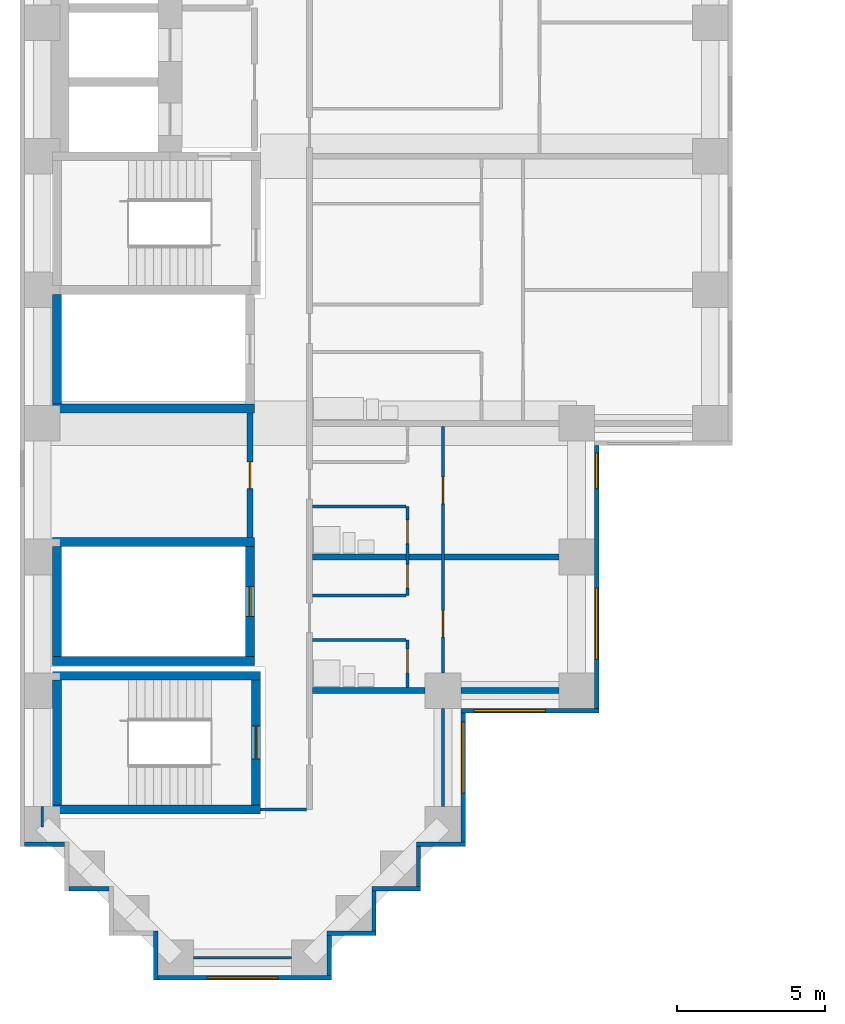
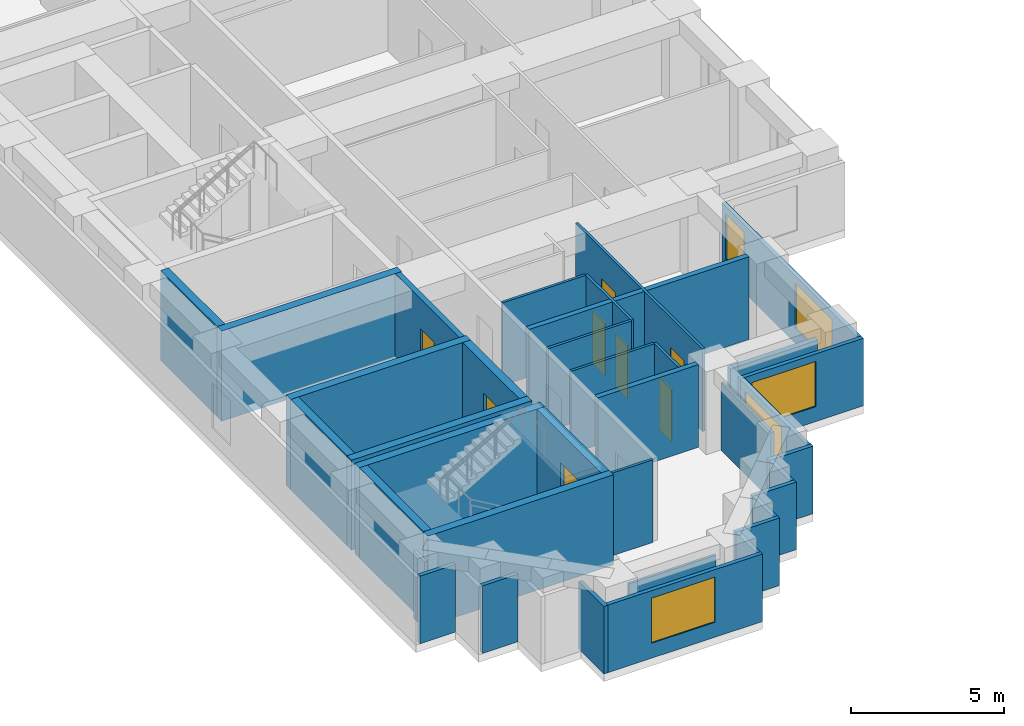
# One storey, part 2 of 12: 37 walls, 8 doors, 5 windows, 13 openings.
"""IFC4 building model written with IfcOpenShell, lengths in metres."""

from ifc_helpers import new_model, si_unit, direction, frame, frame_2d, origin, place, context, subcontext, project, spatial, rectangle, extrude, material, layer, layer_set, type_object, element, fill, save


model = new_model("IFC4")

# Units and contexts
model_context = context("Model", 3, precision=1e-05, world=origin(), true_north=direction((0.0, 1.0)))
body_context = subcontext(model_context, "Body", "Model", "MODEL_VIEW")
ifc_project = project(units=[si_unit("LENGTHUNIT", "METRE"), si_unit("AREAUNIT", "SQUARE_METRE"), si_unit("VOLUMEUNIT", "CUBIC_METRE"), si_unit("PLANEANGLEUNIT", "RADIAN"), si_unit("MASSUNIT", "GRAM", prefix="KILO")], contexts=[model_context])

# Site, building, storey
site_placement = place(None, origin())
site = spatial("IfcSite", under=ifc_project, at=site_placement, CompositionType="ELEMENT")
building_placement = place(site_placement, origin())
building = spatial("IfcBuilding", under=site, at=building_placement, Name="Firuza Court", CompositionType="ELEMENT")
storey_placement = place(building_placement, frame((0.0, 0.0, 65.0)))
storey = spatial("IfcBuildingStorey", under=building, at=storey_placement, Name="L15", CompositionType="ELEMENT", Elevation=65.0)

# Walls
ifc_material_1 = material(Name="Moisture-resistant gypsum board partition")
ifc_layer_1 = layer(ifc_material_1, 0.10009765625)
ifc_layer_set_1 = layer_set([ifc_layer_1], Name="Moisture-resistant gypsum board partition")
wall_type_1 = type_object("IfcWallType", Name="Bathroom partition 100", PredefinedType="PLUMBINGWALL", material=ifc_layer_set_1)
for number, where, z_axis, x_axis, name in (
    (1, (9.10009765625, 10.699951171875, 0.0), (0.0, 0.0, 1.0), (1.0, 0.0, 0.0), "Bathroom partition 100 L15"),
    (2, (9.10009765625, 15.199951171875, 0.0), (0.0, 0.0, 1.0), (1.0, 0.0, 0.0), "Bathroom partition 100 L15"),
):
    element("IfcWall", number, at=place(storey_placement, frame(where, z_axis=z_axis, x_axis=x_axis)), inside=storey, type_object=wall_type_1, Name=name, PredefinedType="PLUMBINGWALL", context=body_context, shape_type="SweptSolid", body=[
        extrude(rectangle(XDim=3.14990234375, YDim=0.10009765625, at=frame_2d((1.574951171875, 0.0))), origin(), (0.0, 0.0, 1.0), 3.300048828125),
    ])
ifc_material_2 = material(Name="Concrete C60/75", Category="concrete")
ifc_layer_2 = layer(ifc_material_2, 0.300048828125)
ifc_layer_set_2 = layer_set([ifc_layer_2], Name="Concrete C60/75")
wall_type_2 = type_object("IfcWallType", Name="Core wall 300 C60/75", PredefinedType="SHEAR", material=ifc_layer_set_2)
for number, where, z_axis, x_axis, name in (
    (3, (0.35009765625, 5.0, -0.300048828125), (0.0, 0.0, 1.0), (1.0, 0.0, 0.0), "Core wall stair L15"),
    (4, (0.35009765625, 9.5, -0.300048828125), (0.0, 0.0, 1.0), (1.0, 0.0, 0.0), "Core wall stair L15"),
):
    element("IfcWall", number, at=place(storey_placement, frame(where, z_axis=z_axis, x_axis=x_axis)), inside=storey, type_object=wall_type_2, Name=name, PredefinedType="SHEAR", context=body_context, shape_type="SweptSolid", body=[
        extrude(rectangle(XDim=7.0, YDim=0.300048828125, at=frame_2d((3.5, 0.0))), origin(), (0.0, 0.0, 1.0), 3.60009765625),
    ])
for number, where, z_axis, x_axis, name in (
    (5, (0.35009765625, 10.0, -0.300048828125), (0.0, 0.0, 1.0), (1.0, 0.0, 0.0), "Core wall riser L15"),
    (6, (0.35009765625, 14.0, -0.300048828125), (0.0, 0.0, 1.0), (1.0, 0.0, 0.0), "Core wall riser L15"),
    (7, (0.35009765625, 18.5, -0.300048828125), (0.0, 0.0, 1.0), (1.0, 0.0, 0.0), "Core wall riser L15"),
):
    element("IfcWall", number, at=place(storey_placement, frame(where, z_axis=z_axis, x_axis=x_axis)), inside=storey, type_object=wall_type_2, Name=name, PredefinedType="SHEAR", context=body_context, shape_type="SweptSolid", body=[
        extrude(rectangle(XDim=6.7998046875, YDim=0.300048828125, at=frame_2d((3.39990234375, 0.0))), origin(), (0.0, 0.0, 1.0), 3.60009765625),
    ])
wall_1_placement = place(storey_placement, frame((0.5, 5.14990234375, -0.300048828125), z_axis=(0.0, 0.0, 1.0), x_axis=(0.0, 1.0, 0.0)))
element("IfcWall", 8, at=wall_1_placement, inside=storey, type_object=wall_type_2, Name="Core wall stair L15", PredefinedType="SHEAR", context=body_context, shape_type="SweptSolid", body=[
    extrude(rectangle(XDim=4.2001953125, YDim=0.300048828125, at=frame_2d((2.10009765625, 0.0))), origin(), (0.0, 0.0, 1.0), 3.60009765625),
])
for number, where, z_axis, x_axis, name in (
    (9, (0.5, 10.14990234375, -0.300048828125), (0.0, 0.0, 1.0), (0.0, 1.0, 0.0), "Core wall riser L15"),
    (10, (0.5, 18.64990234375, -0.300048828125), (0.0, 0.0, 1.0), (0.0, 1.0, 0.0), "Core wall riser L15"),
):
    element("IfcWall", number, at=place(storey_placement, frame(where, z_axis=z_axis, x_axis=x_axis)), inside=storey, type_object=wall_type_2, Name=name, PredefinedType="SHEAR", context=body_context, shape_type="SweptSolid", body=[
        extrude(rectangle(XDim=3.7001953125, YDim=0.300048828125, at=frame_2d((1.85009765625, 0.0))), origin(), (0.0, 0.0, 1.0), 3.60009765625),
    ])

# Wall, opening, door
wall_2_placement = place(storey_placement, frame((7.0, 10.14990234375, -0.300048828125), z_axis=(0.0, 0.0, 1.0), x_axis=(0.0, 1.0, 0.0)))
wall_2 = element("IfcWall", 11, at=wall_2_placement, inside=storey, type_object=wall_type_2, Name="Core wall riser L15", PredefinedType="SHEAR", context=body_context, shape_type="SweptSolid", body=[
    extrude(rectangle(XDim=3.7001953125, YDim=0.300048828125, at=frame_2d((1.85009765625, 0.0))), origin(), (0.0, 0.0, 1.0), 3.60009765625),
])
opening_1_placement = place(wall_2_placement, frame((1.35009765625, 0.0, 0.300048828125)))
opening_1 = element("IfcOpeningElement", 12, at=opening_1_placement, cuts=wall_2, Name="Opening D15012", PredefinedType="OPENING", context=body_context, shape_type="SweptSolid", body=[
    extrude(rectangle(XDim=1.0, YDim=2.10009765625, at=frame_2d((0.5, 1.050048828125))), frame((0.0, 0.162109375, 0.0), z_axis=(0.0, -1.0, 0.0), x_axis=(1.0, 0.0, 0.0)), (0.0, 0.0, 1.0), 0.323974609375),
])
ifc_material_3 = material(Name="Timber door leaf in hardwood frame", Category="wood")
door_type_1 = type_object("IfcDoorType", Name="Riser door 1000", OperationType="SINGLE_SWING_LEFT", PredefinedType="DOOR", material=ifc_material_3)
door_1_placement = place(opening_1_placement, origin())
door_1 = element("IfcDoor", 13, at=door_1_placement, inside=storey, type_object=door_type_1, Name="Riser door R4", OperationType="SINGLE_SWING_LEFT", OverallHeight=2.10009765625, OverallWidth=1.0, PredefinedType="DOOR", context=body_context, shape_type="SweptSolid", body=[
    extrude(rectangle(XDim=1.0, YDim=2.10009765625, at=frame_2d((0.5, 1.050048828125))), frame((0.0, 0.02490234375, 0.0), z_axis=(0.0, -1.0, 0.0), x_axis=(1.0, 0.0, 0.0)), (0.0, 0.0, 1.0), 0.050048828125),
])
fill(opening_1, door_1)

wall_3_placement = place(storey_placement, frame((7.199951171875, 5.14990234375, -0.300048828125), z_axis=(0.0, 0.0, 1.0), x_axis=(0.0, 1.0, 0.0)))
wall_3 = element("IfcWall", 14, at=wall_3_placement, inside=storey, type_object=wall_type_2, Name="Core wall stair L15", PredefinedType="SHEAR", context=body_context, shape_type="SweptSolid", body=[
    extrude(rectangle(XDim=4.2001953125, YDim=0.300048828125, at=frame_2d((2.10009765625, 0.0))), origin(), (0.0, 0.0, 1.0), 3.60009765625),
])
opening_2_placement = place(wall_3_placement, frame((1.550048828125, 0.0, 0.300048828125)))
opening_2 = element("IfcOpeningElement", 15, at=opening_2_placement, cuts=wall_3, Name="Opening D15018", PredefinedType="OPENING", context=body_context, shape_type="SweptSolid", body=[
    extrude(rectangle(XDim=1.10009765625, YDim=2.10009765625, at=frame_2d((0.550048828125, 1.050048828125))), frame((0.0, 0.162109375, 0.0), z_axis=(0.0, -1.0, 0.0), x_axis=(1.0, 0.0, 0.0)), (0.0, 0.0, 1.0), 0.323974609375),
])
ifc_material_4 = material(Name="Timber door leaf in hardwood frame", Category="wood")
door_type_2 = type_object("IfcDoorType", Name="Stair door 1100", OperationType="SINGLE_SWING_LEFT", PredefinedType="DOOR", material=ifc_material_4)
door_2_placement = place(opening_2_placement, origin())
door_2 = element("IfcDoor", 16, at=door_2_placement, inside=storey, type_object=door_type_2, Name="Stair door S5", OperationType="SINGLE_SWING_LEFT", OverallHeight=2.10009765625, OverallWidth=1.10009765625, PredefinedType="DOOR", context=body_context, shape_type="SweptSolid", body=[
    extrude(rectangle(XDim=1.10009765625, YDim=2.10009765625, at=frame_2d((0.550048828125, 1.050048828125))), frame((0.0, 0.02490234375, 0.0), z_axis=(0.0, -1.0, 0.0), x_axis=(1.0, 0.0, 0.0)), (0.0, 0.0, 1.0), 0.050048828125),
])
fill(opening_2, door_2)

ifc_material_5 = material(Name="Blockwork, plastered both sides", Category="masonry")
ifc_layer_3 = layer(ifc_material_5, 0.199951171875)
ifc_layer_set_3 = layer_set([ifc_layer_3], Name="Blockwork, plastered both sides")
wall_type_3 = type_object("IfcWallType", Name="Corridor wall 200", PredefinedType="PARTITIONING", material=ifc_layer_set_3)
wall_4_placement = place(storey_placement, frame((7.0, 14.14990234375, 0.0), z_axis=(0.0, 0.0, 1.0), x_axis=(0.0, 1.0, 0.0)))
wall_4 = element("IfcWall", 17, at=wall_4_placement, inside=storey, type_object=wall_type_3, Name="Corridor wall 200 L15", PredefinedType="PARTITIONING", context=body_context, shape_type="SweptSolid", body=[
    extrude(rectangle(XDim=4.2001953125, YDim=0.199951171875, at=frame_2d((2.10009765625, 0.0))), origin(), (0.0, 0.0, 1.0), 3.300048828125),
])
opening_3_placement = place(wall_4_placement, frame((1.64990234375, 0.0, 0.0)))
opening_3 = element("IfcOpeningElement", 18, at=opening_3_placement, cuts=wall_4, Name="Opening D15030", PredefinedType="OPENING", context=body_context, shape_type="SweptSolid", body=[
    extrude(rectangle(XDim=0.89990234375, YDim=2.10009765625, at=frame_2d((0.449951171875, 1.050048828125))), frame((0.0, 0.11181640625, 0.0), z_axis=(0.0, -1.0, 0.0), x_axis=(1.0, 0.0, 0.0)), (0.0, 0.0, 1.0), 0.223876953125),
])
ifc_material_6 = material(Name="Timber door leaf in hardwood frame", Category="wood")
door_type_3 = type_object("IfcDoorType", Name="Room door 900 EI 30", OperationType="SINGLE_SWING_LEFT", PredefinedType="DOOR", material=ifc_material_6)
door_3_placement = place(opening_3_placement, origin())
door_3 = element("IfcDoor", 19, at=door_3_placement, inside=storey, type_object=door_type_3, Name="Concierge room door", OperationType="SINGLE_SWING_LEFT", OverallHeight=2.10009765625, OverallWidth=0.89990234375, PredefinedType="DOOR", context=body_context, shape_type="SweptSolid", body=[
    extrude(rectangle(XDim=0.89990234375, YDim=2.10009765625, at=frame_2d((0.449951171875, 1.050048828125))), frame((0.0, 0.02490234375, 0.0), z_axis=(0.0, -1.0, 0.0), x_axis=(1.0, 0.0, 0.0)), (0.0, 0.0, 1.0), 0.050048828125),
])
fill(opening_3, door_3)

# Walls
ifc_material_7 = material(Name="Timber stud partition, plasterboard both sides", Category="wood")
ifc_layer_4 = layer(ifc_material_7, 0.10009765625)
ifc_layer_set_4 = layer_set([ifc_layer_4], Name="Timber stud partition, plasterboard both sides")
wall_type_4 = type_object("IfcWallType", Name="Partition wall 100", PredefinedType="PARTITIONING", material=ifc_layer_set_4)
wall_5_placement = place(storey_placement, frame((5.10009765625, 0.0, 0.0), z_axis=(0.0, 0.0, 1.0), x_axis=(1.0, 0.0, 0.0)))
element("IfcWall", 20, at=wall_5_placement, inside=storey, type_object=wall_type_4, Name="Partition wall 100 L15", PredefinedType="PARTITIONING", context=body_context, shape_type="SweptSolid", body=[
    extrude(rectangle(XDim=3.2998046875, YDim=0.10009765625, at=frame_2d((1.64990234375, 0.0))), origin(), (0.0, 0.0, 1.0), 2.699951171875),
])
wall_6_placement = place(storey_placement, frame((0.0, 4.39990234375, 0.0), z_axis=(0.0, 0.0, 1.0), x_axis=(0.0, 1.0, 0.0)))
element("IfcWall", 21, at=wall_6_placement, inside=storey, type_object=wall_type_4, Name="Partition wall 100 L15", PredefinedType="PARTITIONING", context=body_context, shape_type="SweptSolid", body=[
    extrude(rectangle(XDim=0.7001953125, YDim=0.10009765625, at=frame_2d((0.35009765625, 0.0))), origin(), (0.0, 0.0, 1.0), 2.699951171875),
])
wall_7_placement = place(storey_placement, frame((7.34912109375, 5.0, 0.0), z_axis=(0.0, 0.0, 1.0), x_axis=(1.0, 0.0, 0.0)))
element("IfcWall", 22, at=wall_7_placement, inside=storey, type_object=wall_type_4, Name="Partition wall 100 L15", PredefinedType="PARTITIONING", context=body_context, shape_type="SweptSolid", body=[
    extrude(rectangle(XDim=1.55078125, YDim=0.10009765625, at=frame_2d((0.775390625, 0.0))), origin(), (0.0, 0.0, 1.0), 3.300048828125),
])
wall_8_placement = place(storey_placement, frame((13.5, 5.10009765625, 0.0), z_axis=(0.0, 0.0, 1.0), x_axis=(0.0, 1.0, 0.0)))
element("IfcWall", 23, at=wall_8_placement, inside=storey, type_object=wall_type_4, Name="Partition wall 100 L15", PredefinedType="PARTITIONING", context=body_context, shape_type="SweptSolid", body=[
    extrude(rectangle(XDim=3.2998046875, YDim=0.10009765625, at=frame_2d((1.64990234375, 0.0))), origin(), (0.0, 0.0, 1.0), 2.699951171875),
])

# Wall, opening, door
wall_9_placement = place(storey_placement, frame((12.300048828125, 9.10009765625, 0.0), z_axis=(0.0, 0.0, 1.0), x_axis=(0.0, 1.0, 0.0)))
wall_9 = element("IfcWall", 24, at=wall_9_placement, inside=storey, type_object=wall_type_4, Name="Partition wall 100 L15", PredefinedType="PARTITIONING", context=body_context, shape_type="SweptSolid", body=[
    extrude(rectangle(XDim=1.599853515625, YDim=0.10009765625, at=frame_2d((0.7998046875, 0.0))), origin(), (0.0, 0.0, 1.0), 3.300048828125),
])
opening_4_placement = place(wall_9_placement, frame((0.5, 0.0, 0.0)))
opening_4 = element("IfcOpeningElement", 25, at=opening_4_placement, cuts=wall_9, Name="Opening D15025", PredefinedType="OPENING", context=body_context, shape_type="SweptSolid", body=[
    extrude(rectangle(XDim=0.800048828125, YDim=2.10009765625, at=frame_2d((0.39990234375, 1.050048828125))), frame((0.0, 0.06201171875, 0.0), z_axis=(0.0, -1.0, 0.0), x_axis=(1.0, 0.0, 0.0)), (0.0, 0.0, 1.0), 0.1240234375),
])
ifc_material_8 = material(Name="Timber door leaf in hardwood frame", Category="wood")
door_type_4 = type_object("IfcDoorType", Name="Bathroom door 800", OperationType="SINGLE_SWING_LEFT", PredefinedType="DOOR", material=ifc_material_8)
door_4_placement = place(opening_4_placement, origin())
door_4 = element("IfcDoor", 26, at=door_4_placement, inside=storey, type_object=door_type_4, Name="Bathroom door", OperationType="SINGLE_SWING_RIGHT", OverallHeight=2.10009765625, OverallWidth=0.800048828125, PredefinedType="DOOR", context=body_context, shape_type="SweptSolid", body=[
    extrude(rectangle(XDim=0.800048828125, YDim=2.10009765625, at=frame_2d((0.39990234375, 1.050048828125))), frame((0.0, 0.02490234375, 0.0), z_axis=(0.0, -1.0, 0.0), x_axis=(1.0, 0.0, 0.0)), (0.0, 0.0, 1.0), 0.050048828125),
])
fill(opening_4, door_4)

# Wall, openings, doors
wall_10_placement = place(storey_placement, frame((13.5, 9.60009765625, 0.0), z_axis=(0.0, 0.0, 1.0), x_axis=(0.0, 1.0, 0.0)))
wall_10 = element("IfcWall", 27, at=wall_10_placement, inside=storey, type_object=wall_type_4, Name="Partition wall 100 L15", PredefinedType="PARTITIONING", context=body_context, shape_type="SweptSolid", body=[
    extrude(rectangle(XDim=8.2998046875, YDim=0.10009765625, at=frame_2d((4.14990234375, 0.0))), origin(), (0.0, 0.0, 1.0), 3.300048828125),
])
opening_5_placement = place(wall_10_placement, frame((5.699951171875, 0.0, 0.0)))
opening_5 = element("IfcOpeningElement", 28, at=opening_5_placement, cuts=wall_10, Name="Opening D15026", PredefinedType="OPENING", context=body_context, shape_type="SweptSolid", body=[
    extrude(rectangle(XDim=0.89990234375, YDim=2.10009765625, at=frame_2d((0.449951171875, 1.050048828125))), frame((0.0, 0.06201171875, 0.0), z_axis=(0.0, -1.0, 0.0), x_axis=(1.0, 0.0, 0.0)), (0.0, 0.0, 1.0), 0.1240234375),
])
opening_6_placement = place(wall_10_placement, frame((1.199951171875, 0.0, 0.0)))
opening_6 = element("IfcOpeningElement", 29, at=opening_6_placement, cuts=wall_10, Name="Opening D15027", PredefinedType="OPENING", context=body_context, shape_type="SweptSolid", body=[
    extrude(rectangle(XDim=0.89990234375, YDim=2.10009765625, at=frame_2d((0.449951171875, 1.050048828125))), frame((0.0, 0.06201171875, 0.0), z_axis=(0.0, -1.0, 0.0), x_axis=(1.0, 0.0, 0.0)), (0.0, 0.0, 1.0), 0.1240234375),
])
ifc_material_9 = material(Name="Timber door leaf in hardwood frame", Category="wood")
door_type_5 = type_object("IfcDoorType", Name="Room door 900", OperationType="SINGLE_SWING_LEFT", PredefinedType="DOOR", material=ifc_material_9)
door_5_placement = place(opening_5_placement, frame((0.89990234375, 0.0, 0.0), z_axis=(0.0, 0.0, 1.0), x_axis=(-1.0, 0.0, 0.0)))
door_5 = element("IfcDoor", 30, at=door_5_placement, inside=storey, type_object=door_type_5, Name="Studio room door", OperationType="SINGLE_SWING_RIGHT", OverallHeight=2.10009765625, OverallWidth=0.89990234375, PredefinedType="DOOR", context=body_context, shape_type="SweptSolid", body=[
    extrude(rectangle(XDim=0.89990234375, YDim=2.10009765625, at=frame_2d((0.449951171875, 1.050048828125))), frame((0.0, 0.02490234375, 0.0), z_axis=(0.0, -1.0, 0.0), x_axis=(1.0, 0.0, 0.0)), (0.0, 0.0, 1.0), 0.050048828125),
])
fill(opening_5, door_5)
door_6_placement = place(opening_6_placement, frame((0.89990234375, 0.0, 0.0), z_axis=(0.0, 0.0, 1.0), x_axis=(-1.0, 0.0, 0.0)))
door_6 = element("IfcDoor", 31, at=door_6_placement, inside=storey, type_object=door_type_5, Name="Studio room door", OperationType="SINGLE_SWING_RIGHT", OverallHeight=2.10009765625, OverallWidth=0.89990234375, PredefinedType="DOOR", context=body_context, shape_type="SweptSolid", body=[
    extrude(rectangle(XDim=0.89990234375, YDim=2.10009765625, at=frame_2d((0.449951171875, 1.050048828125))), frame((0.0, 0.02490234375, 0.0), z_axis=(0.0, -1.0, 0.0), x_axis=(1.0, 0.0, 0.0)), (0.0, 0.0, 1.0), 0.050048828125),
])
fill(opening_6, door_6)

# Wall
wall_11_placement = place(storey_placement, frame((9.10009765625, 12.199951171875, 0.0), z_axis=(0.0, 0.0, 1.0), x_axis=(1.0, 0.0, 0.0)))
element("IfcWall", 32, at=wall_11_placement, inside=storey, type_object=wall_type_4, Name="Partition wall 100 L15", PredefinedType="PARTITIONING", context=body_context, shape_type="SweptSolid", body=[
    extrude(rectangle(XDim=3.14990234375, YDim=0.10009765625, at=frame_2d((1.574951171875, 0.0))), origin(), (0.0, 0.0, 1.0), 3.300048828125),
])

# Wall, openings, doors
wall_12_placement = place(storey_placement, frame((12.300048828125, 12.199951171875, 0.0), z_axis=(0.0, 0.0, 1.0), x_axis=(0.0, 1.0, 0.0)))
wall_12 = element("IfcWall", 33, at=wall_12_placement, inside=storey, type_object=wall_type_4, Name="Partition wall 100 L15", PredefinedType="PARTITIONING", context=body_context, shape_type="SweptSolid", body=[
    extrude(rectangle(XDim=3.0, YDim=0.10009765625, at=frame_2d((1.5, 0.0))), origin(), (0.0, 0.0, 1.0), 3.300048828125),
])
opening_7_placement = place(wall_12_placement, frame((1.75, 0.0, 0.0)))
opening_7 = element("IfcOpeningElement", 34, at=opening_7_placement, cuts=wall_12, Name="Opening D15028", PredefinedType="OPENING", context=body_context, shape_type="SweptSolid", body=[
    extrude(rectangle(XDim=0.800048828125, YDim=2.10009765625, at=frame_2d((0.39990234375, 1.050048828125))), frame((0.0, 0.06201171875, 0.0), z_axis=(0.0, -1.0, 0.0), x_axis=(1.0, 0.0, 0.0)), (0.0, 0.0, 1.0), 0.1240234375),
])
opening_8_placement = place(wall_12_placement, frame((0.25, 0.0, 0.0)))
opening_8 = element("IfcOpeningElement", 35, at=opening_8_placement, cuts=wall_12, Name="Opening D15029", PredefinedType="OPENING", context=body_context, shape_type="SweptSolid", body=[
    extrude(rectangle(XDim=0.800048828125, YDim=2.10009765625, at=frame_2d((0.39990234375, 1.050048828125))), frame((0.0, 0.06201171875, 0.0), z_axis=(0.0, -1.0, 0.0), x_axis=(1.0, 0.0, 0.0)), (0.0, 0.0, 1.0), 0.1240234375),
])
door_7_placement = place(opening_7_placement, origin())
door_7 = element("IfcDoor", 36, at=door_7_placement, inside=storey, type_object=door_type_4, Name="Bathroom door", OperationType="SINGLE_SWING_LEFT", OverallHeight=2.10009765625, OverallWidth=0.800048828125, PredefinedType="DOOR", context=body_context, shape_type="SweptSolid", body=[
    extrude(rectangle(XDim=0.800048828125, YDim=2.10009765625, at=frame_2d((0.39990234375, 1.050048828125))), frame((0.0, 0.02490234375, 0.0), z_axis=(0.0, -1.0, 0.0), x_axis=(1.0, 0.0, 0.0)), (0.0, 0.0, 1.0), 0.050048828125),
])
fill(opening_7, door_7)
ifc_material_10 = material(Name="Timber door leaf in hardwood frame", Category="wood")
door_type_6 = type_object("IfcDoorType", Name="Room door 800", OperationType="SINGLE_SWING_LEFT", PredefinedType="DOOR", material=ifc_material_10)
door_8_placement = place(opening_8_placement, origin())
door_8 = element("IfcDoor", 37, at=door_8_placement, inside=storey, type_object=door_type_6, Name="Kitchen door", OperationType="SINGLE_SWING_LEFT", OverallHeight=2.10009765625, OverallWidth=0.800048828125, PredefinedType="DOOR", context=body_context, shape_type="SweptSolid", body=[
    extrude(rectangle(XDim=0.800048828125, YDim=2.10009765625, at=frame_2d((0.39990234375, 1.050048828125))), frame((0.0, 0.02490234375, 0.0), z_axis=(0.0, -1.0, 0.0), x_axis=(1.0, 0.0, 0.0)), (0.0, 0.0, 1.0), 0.050048828125),
])
fill(opening_8, door_8)

# Walls
ifc_layer_5 = layer(ifc_material_5, 0.199951171875)
ifc_layer_set_5 = layer_set([ifc_layer_5], Name="Blockwork, plastered both sides")
wall_type_5 = type_object("IfcWallType", Name="Party wall 200", PredefinedType="PARTITIONING", material=ifc_layer_set_5)
wall_13_placement = place(storey_placement, frame((9.10009765625, 9.0, 0.0), z_axis=(0.0, 0.0, 1.0), x_axis=(1.0, 0.0, 0.0)))
element("IfcWall", 38, at=wall_13_placement, inside=storey, type_object=wall_type_5, Name="Party wall 200 L15", PredefinedType="PARTITIONING", context=body_context, shape_type="SweptSolid", body=[
    extrude(rectangle(XDim=3.7998046875, YDim=0.199951171875, at=frame_2d((1.89990234375, 0.0))), origin(), (0.0, 0.0, 1.0), 3.300048828125),
])
wall_14_placement = place(storey_placement, frame((14.10009765625, 9.0, 0.0), z_axis=(0.0, 0.0, 1.0), x_axis=(1.0, 0.0, 0.0)))
element("IfcWall", 39, at=wall_14_placement, inside=storey, type_object=wall_type_5, Name="Party wall 200 L15", PredefinedType="PARTITIONING", context=body_context, shape_type="SweptSolid", body=[
    extrude(rectangle(XDim=3.2998046875, YDim=0.199951171875, at=frame_2d((1.64990234375, 0.0))), origin(), (0.0, 0.0, 1.0), 2.699951171875),
])
wall_15_placement = place(storey_placement, frame((9.10009765625, 13.5, 0.0), z_axis=(0.0, 0.0, 1.0), x_axis=(1.0, 0.0, 0.0)))
element("IfcWall", 40, at=wall_15_placement, inside=storey, type_object=wall_type_5, Name="Party wall 200 L15", PredefinedType="PARTITIONING", context=body_context, shape_type="SweptSolid", body=[
    extrude(rectangle(XDim=8.2998046875, YDim=0.199951171875, at=frame_2d((4.14990234375, 0.0))), origin(), (0.0, 0.0, 1.0), 3.300048828125),
])
ifc_material_11 = material(Name="Ceramic tile", Category="ceramic")
ifc_layer_6 = layer(ifc_material_11, 0.02001953125)
ifc_material_12 = material(Name="Mineral wool insulation", Category="insulation")
ifc_layer_7 = layer(ifc_material_12, 0.050048828125)
ifc_material_13 = material(Name="Concrete C40/50 precast", Category="concrete")
ifc_layer_8 = layer(ifc_material_13, 0.080078125)
ifc_layer_set_6 = layer_set([ifc_layer_6, ifc_layer_7, ifc_layer_8], Name="Concrete C40/50 precast")
wall_type_6 = type_object("IfcWallType", Name="Precast cladding wall with turquoise TILE PANEL face 150", PredefinedType="STANDARD", material=ifc_layer_set_6)
wall_16_placement = place(storey_placement, frame((9.675048828125, -0.60009765625, 0.0), z_axis=(0.0, 0.0, 1.0), x_axis=(0.0, 1.0, 0.0)))
element("IfcWall", 41, at=wall_16_placement, inside=storey, type_object=wall_type_6, Name="Facade wall L15 E", PredefinedType="STANDARD", context=body_context, shape_type="SweptSolid", body=[
    extrude(rectangle(XDim=1.35009765625, YDim=0.14990234375, at=frame_2d((0.675048828125, 0.0))), origin(), (0.0, 0.0, 1.0), 2.699951171875),
])
wall_17_placement = place(storey_placement, frame((9.60009765625, 0.824951171875, 0.0), z_axis=(0.0, 0.0, 1.0), x_axis=(1.0, 0.0, 0.0)))
element("IfcWall", 42, at=wall_17_placement, inside=storey, type_object=wall_type_6, Name="Facade wall L15 S", PredefinedType="STANDARD", context=body_context, shape_type="SweptSolid", body=[
    extrude(rectangle(XDim=1.64990234375, YDim=0.14990234375, at=frame_2d((0.824951171875, 0.0))), origin(), (0.0, 0.0, 1.0), 2.699951171875),
])
wall_18_placement = place(storey_placement, frame((11.175048828125, 0.89990234375, 0.0), z_axis=(0.0, 0.0, 1.0), x_axis=(0.0, 1.0, 0.0)))
element("IfcWall", 43, at=wall_18_placement, inside=storey, type_object=wall_type_6, Name="Facade wall L15 E", PredefinedType="STANDARD", context=body_context, shape_type="SweptSolid", body=[
    extrude(rectangle(XDim=1.35009765625, YDim=0.14990234375, at=frame_2d((0.675048828125, 0.0))), origin(), (0.0, 0.0, 1.0), 2.699951171875),
])
wall_19_placement = place(storey_placement, frame((11.10009765625, 2.324951171875, 0.0), z_axis=(0.0, 0.0, 1.0), x_axis=(1.0, 0.0, 0.0)))
element("IfcWall", 44, at=wall_19_placement, inside=storey, type_object=wall_type_6, Name="Facade wall L15 S", PredefinedType="STANDARD", context=body_context, shape_type="SweptSolid", body=[
    extrude(rectangle(XDim=1.64990234375, YDim=0.14990234375, at=frame_2d((0.824951171875, 0.0))), origin(), (0.0, 0.0, 1.0), 2.699951171875),
])
wall_20_placement = place(storey_placement, frame((12.675048828125, 2.39990234375, 0.0), z_axis=(0.0, 0.0, 1.0), x_axis=(0.0, 1.0, 0.0)))
element("IfcWall", 45, at=wall_20_placement, inside=storey, type_object=wall_type_6, Name="Facade wall L15 E", PredefinedType="STANDARD", context=body_context, shape_type="SweptSolid", body=[
    extrude(rectangle(XDim=1.35009765625, YDim=0.14990234375, at=frame_2d((0.675048828125, 0.0))), origin(), (0.0, 0.0, 1.0), 2.699951171875),
])
wall_21_placement = place(storey_placement, frame((12.60009765625, 3.824951171875, 0.0), z_axis=(0.0, 0.0, 1.0), x_axis=(1.0, 0.0, 0.0)))
element("IfcWall", 46, at=wall_21_placement, inside=storey, type_object=wall_type_6, Name="Facade wall L15 S", PredefinedType="STANDARD", context=body_context, shape_type="SweptSolid", body=[
    extrude(rectangle(XDim=1.64990234375, YDim=0.14990234375, at=frame_2d((0.824951171875, 0.0))), origin(), (0.0, 0.0, 1.0), 2.699951171875),
])

# Wall, opening, window
wall_22_placement = place(storey_placement, frame((14.175048828125, 3.89990234375, 0.0), z_axis=(0.0, 0.0, 1.0), x_axis=(0.0, 1.0, 0.0)))
wall_22 = element("IfcWall", 47, at=wall_22_placement, inside=storey, type_object=wall_type_6, Name="Facade wall L15 E", PredefinedType="STANDARD", context=body_context, shape_type="SweptSolid", body=[
    extrude(rectangle(XDim=4.35009765625, YDim=0.14990234375, at=frame_2d((2.175048828125, 0.0))), origin(), (0.0, 0.0, 1.0), 2.699951171875),
])
opening_9_placement = place(wall_22_placement, frame((1.64990234375, 0.0, 0.60009765625)))
opening_9 = element("IfcOpeningElement", 48, at=opening_9_placement, cuts=wall_22, Name="Opening W1", PredefinedType="OPENING", context=body_context, shape_type="SweptSolid", body=[
    extrude(rectangle(XDim=2.39990234375, YDim=1.800048828125, at=frame_2d((1.199951171875, 0.89990234375))), frame((0.0, 0.0869140625, 0.0), z_axis=(0.0, -1.0, 0.0), x_axis=(1.0, 0.0, 0.0)), (0.0, 0.0, 1.0), 0.173828125),
])
ifc_material_14 = material(Name="Aluminium frame, triple clear glazing", Category="aluminium")
window_type_1 = type_object("IfcWindowType", Name="Window W1 2400 x 1800", PartitioningType="SINGLE_PANEL", PredefinedType="WINDOW", material=ifc_material_14)
window_1_placement = place(opening_9_placement, origin())
window_1 = element("IfcWindow", 49, at=window_1_placement, inside=storey, type_object=window_type_1, Name="Window L15", OverallHeight=1.800048828125, OverallWidth=2.39990234375, PartitioningType="SINGLE_PANEL", PredefinedType="WINDOW", context=body_context, shape_type="SweptSolid", body=[
    extrude(rectangle(XDim=2.39990234375, YDim=1.800048828125, at=frame_2d((1.199951171875, 0.89990234375))), frame((0.0, 0.030029296875, 0.0), z_axis=(0.0, -1.0, 0.0), x_axis=(1.0, 0.0, 0.0)), (0.0, 0.0, 1.0), 0.06005859375),
])
fill(opening_9, window_1)

wall_23_placement = place(storey_placement, frame((14.10009765625, 8.324951171875, 0.0), z_axis=(0.0, 0.0, 1.0), x_axis=(1.0, 0.0, 0.0)))
wall_23 = element("IfcWall", 50, at=wall_23_placement, inside=storey, type_object=wall_type_6, Name="Facade wall L15 S", PredefinedType="STANDARD", context=body_context, shape_type="SweptSolid", body=[
    extrude(rectangle(XDim=4.64990234375, YDim=0.14990234375, at=frame_2d((2.324951171875, 0.0))), origin(), (0.0, 0.0, 1.0), 2.699951171875),
])
opening_10_placement = place(wall_23_placement, frame((0.449951171875, 0.0, 0.60009765625)))
opening_10 = element("IfcOpeningElement", 51, at=opening_10_placement, cuts=wall_23, Name="Opening W1", PredefinedType="OPENING", context=body_context, shape_type="SweptSolid", body=[
    extrude(rectangle(XDim=2.39990234375, YDim=1.800048828125, at=frame_2d((1.199951171875, 0.89990234375))), frame((0.0, 0.0869140625, 0.0), z_axis=(0.0, -1.0, 0.0), x_axis=(1.0, 0.0, 0.0)), (0.0, 0.0, 1.0), 0.173828125),
])
window_2_placement = place(opening_10_placement, origin())
window_2 = element("IfcWindow", 52, at=window_2_placement, inside=storey, type_object=window_type_1, Name="Window L15", OverallHeight=1.800048828125, OverallWidth=2.39990234375, PartitioningType="SINGLE_PANEL", PredefinedType="WINDOW", context=body_context, shape_type="SweptSolid", body=[
    extrude(rectangle(XDim=2.39990234375, YDim=1.800048828125, at=frame_2d((1.199951171875, 0.89990234375))), frame((0.0, 0.030029296875, 0.0), z_axis=(0.0, -1.0, 0.0), x_axis=(1.0, 0.0, 0.0)), (0.0, 0.0, 1.0), 0.06005859375),
])
fill(opening_10, window_2)

# Wall, openings, windows
wall_24_placement = place(storey_placement, frame((18.675048828125, 8.39990234375, 0.0), z_axis=(0.0, 0.0, 1.0), x_axis=(0.0, 1.0, 0.0)))
wall_24 = element("IfcWall", 53, at=wall_24_placement, inside=storey, type_object=wall_type_6, Name="Facade wall L15 E", PredefinedType="STANDARD", context=body_context, shape_type="SweptSolid", body=[
    extrude(rectangle(XDim=8.85009765625, YDim=0.14990234375, at=frame_2d((4.425048828125, 0.0))), origin(), (0.0, 0.0, 1.0), 2.699951171875),
])
opening_11_placement = place(wall_24_placement, frame((1.64990234375, 0.0, 0.60009765625)))
opening_11 = element("IfcOpeningElement", 54, at=opening_11_placement, cuts=wall_24, Name="Opening W1", PredefinedType="OPENING", context=body_context, shape_type="SweptSolid", body=[
    extrude(rectangle(XDim=2.39990234375, YDim=1.800048828125, at=frame_2d((1.199951171875, 0.89990234375))), frame((0.0, 0.0869140625, 0.0), z_axis=(0.0, -1.0, 0.0), x_axis=(1.0, 0.0, 0.0)), (0.0, 0.0, 1.0), 0.173828125),
])
opening_12_placement = place(wall_24_placement, frame((7.4013671875, 0.0, 0.60009765625)))
opening_12 = element("IfcOpeningElement", 55, at=opening_12_placement, cuts=wall_24, Name="Opening W8", PredefinedType="OPENING", context=body_context, shape_type="SweptSolid", body=[
    extrude(rectangle(XDim=1.199951171875, YDim=1.800048828125, at=frame_2d((0.60009765625, 0.89990234375))), frame((0.0, 0.0869140625, 0.0), z_axis=(0.0, -1.0, 0.0), x_axis=(1.0, 0.0, 0.0)), (0.0, 0.0, 1.0), 0.173828125),
])
window_3_placement = place(opening_11_placement, origin())
window_3 = element("IfcWindow", 56, at=window_3_placement, inside=storey, type_object=window_type_1, Name="Window L15", OverallHeight=1.800048828125, OverallWidth=2.39990234375, PartitioningType="SINGLE_PANEL", PredefinedType="WINDOW", context=body_context, shape_type="SweptSolid", body=[
    extrude(rectangle(XDim=2.39990234375, YDim=1.800048828125, at=frame_2d((1.199951171875, 0.89990234375))), frame((0.0, 0.030029296875, 0.0), z_axis=(0.0, -1.0, 0.0), x_axis=(1.0, 0.0, 0.0)), (0.0, 0.0, 1.0), 0.06005859375),
])
fill(opening_11, window_3)
ifc_material_15 = material(Name="Aluminium frame, triple clear glazing", Category="aluminium")
window_type_2 = type_object("IfcWindowType", Name="Window W8 1200 x 1800", PartitioningType="SINGLE_PANEL", PredefinedType="WINDOW", material=ifc_material_15)
window_4_placement = place(opening_12_placement, origin())
window_4 = element("IfcWindow", 57, at=window_4_placement, inside=storey, type_object=window_type_2, Name="Window L15", OverallHeight=1.800048828125, OverallWidth=1.199951171875, PartitioningType="SINGLE_PANEL", PredefinedType="WINDOW", context=body_context, shape_type="SweptSolid", body=[
    extrude(rectangle(XDim=1.199951171875, YDim=1.800048828125, at=frame_2d((0.60009765625, 0.89990234375))), frame((0.0, 0.030029296875, 0.0), z_axis=(0.0, -1.0, 0.0), x_axis=(1.0, 0.0, 0.0)), (0.0, 0.0, 1.0), 0.06005859375),
])
fill(opening_12, window_4)

# Walls
for number, where, z_axis, x_axis, name in (
    (58, (-0.60009765625, 3.824951171875, 0.0), (0.0, 0.0, 1.0), (1.0, 0.0, 0.0), "Facade wall L15 S"),
    (59, (0.89990234375, 2.324951171875, 0.0), (0.0, 0.0, 1.0), (1.0, 0.0, 0.0), "Facade wall L15 S"),
):
    element("IfcWall", number, at=place(storey_placement, frame(where, z_axis=z_axis, x_axis=x_axis)), inside=storey, type_object=wall_type_6, Name=name, PredefinedType="STANDARD", context=body_context, shape_type="SweptSolid", body=[
        extrude(rectangle(XDim=1.35009765625, YDim=0.14990234375, at=frame_2d((0.675048828125, 0.0))), origin(), (0.0, 0.0, 1.0), 2.699951171875),
    ])
wall_25_placement = place(storey_placement, frame((3.824951171875, 0.89990234375, 0.0), z_axis=(0.0, 0.0, 1.0), x_axis=(0.0, -1.0, 0.0)))
element("IfcWall", 60, at=wall_25_placement, inside=storey, type_object=wall_type_6, Name="Facade wall L15 W", PredefinedType="STANDARD", context=body_context, shape_type="SweptSolid", body=[
    extrude(rectangle(XDim=1.64990234375, YDim=0.14990234375, at=frame_2d((0.824951171875, 0.0))), origin(), (0.0, 0.0, 1.0), 2.699951171875),
])

# Wall, opening, window
wall_26_placement = place(storey_placement, frame((3.89990234375, -0.675048828125, 0.0), z_axis=(0.0, 0.0, 1.0), x_axis=(1.0, 0.0, 0.0)))
wall_26 = element("IfcWall", 61, at=wall_26_placement, inside=storey, type_object=wall_type_6, Name="Facade wall L15 S", PredefinedType="STANDARD", context=body_context, shape_type="SweptSolid", body=[
    extrude(rectangle(XDim=5.85009765625, YDim=0.14990234375, at=frame_2d((2.925048828125, 0.0))), origin(), (0.0, 0.0, 1.0), 2.699951171875),
])
opening_13_placement = place(wall_26_placement, frame((1.64990234375, 0.0, 0.60009765625)))
opening_13 = element("IfcOpeningElement", 62, at=opening_13_placement, cuts=wall_26, Name="Opening W1", PredefinedType="OPENING", context=body_context, shape_type="SweptSolid", body=[
    extrude(rectangle(XDim=2.39990234375, YDim=1.800048828125, at=frame_2d((1.199951171875, 0.89990234375))), frame((0.0, 0.0869140625, 0.0), z_axis=(0.0, -1.0, 0.0), x_axis=(1.0, 0.0, 0.0)), (0.0, 0.0, 1.0), 0.173828125),
])
window_5_placement = place(opening_13_placement, origin())
window_5 = element("IfcWindow", 63, at=window_5_placement, inside=storey, type_object=window_type_1, Name="Window L15", OverallHeight=1.800048828125, OverallWidth=2.39990234375, PartitioningType="SINGLE_PANEL", PredefinedType="WINDOW", context=body_context, shape_type="SweptSolid", body=[
    extrude(rectangle(XDim=2.39990234375, YDim=1.800048828125, at=frame_2d((1.199951171875, 0.89990234375))), frame((0.0, 0.030029296875, 0.0), z_axis=(0.0, -1.0, 0.0), x_axis=(1.0, 0.0, 0.0)), (0.0, 0.0, 1.0), 0.06005859375),
])
fill(opening_13, window_5)

save(model, "model.ifc")
